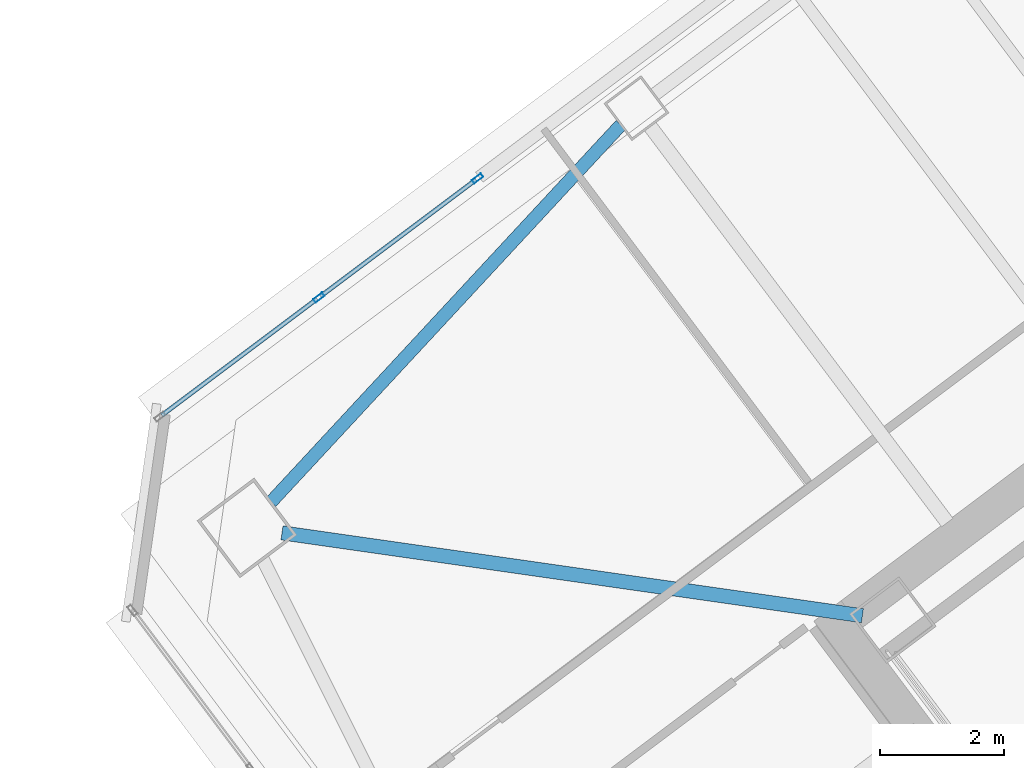
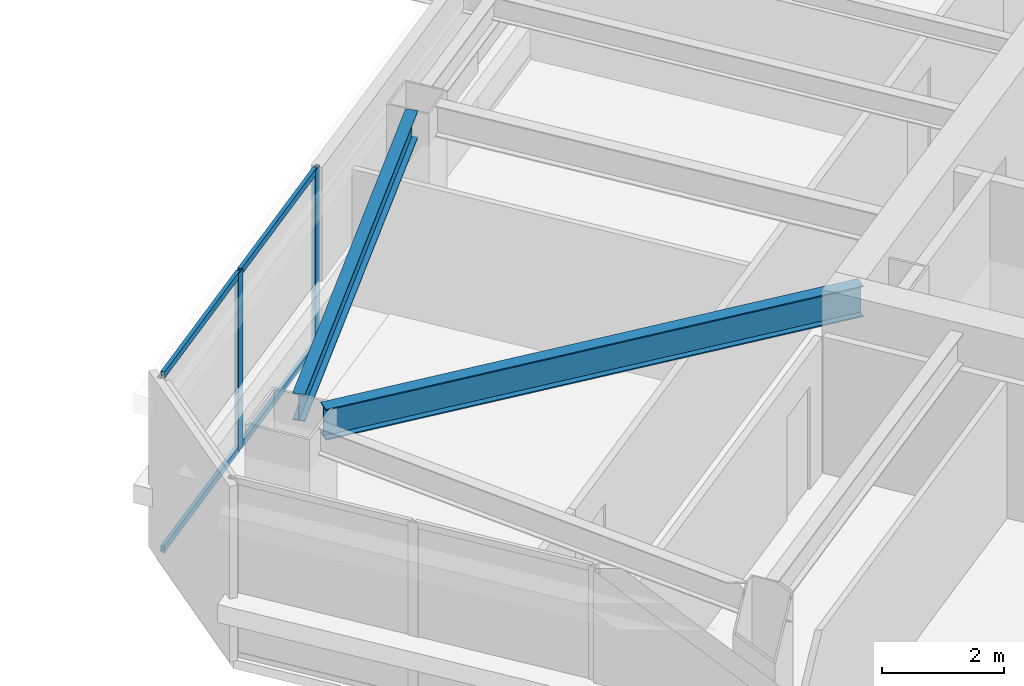
# One storey, part 22 of 43: 6 members, 2 beams, 1 element without a shape of its own.
"""IFC4 building model written with IfcOpenShell, lengths in metres."""

from ifc_helpers import new_model, si_unit, direction, frame, origin, origin_2d, place, context, subcontext, project, spatial, hollow_rectangle, i_section, extrude, material, material_profile, profile_set, type_object, element, aggregate, save


model = new_model("IFC4")

# Units and contexts
model_context = context("Model", 3, precision=1e-05, world=origin(), true_north=direction((0.0, 1.0)))
body_context = subcontext(model_context, "Body", "Model", "MODEL_VIEW")
ifc_project = project(units=[si_unit("LENGTHUNIT", "METRE"), si_unit("AREAUNIT", "SQUARE_METRE"), si_unit("VOLUMEUNIT", "CUBIC_METRE"), si_unit("PLANEANGLEUNIT", "RADIAN"), si_unit("MASSUNIT", "GRAM", prefix="KILO")], contexts=[model_context])

# Site, building, storey
site_placement = place(None, origin())
site = spatial("IfcSite", under=ifc_project, at=site_placement, CompositionType="ELEMENT")
building_placement = place(site_placement, origin())
building = spatial("IfcBuilding", under=site, at=building_placement, Name="Tashvorn Skyway Center", CompositionType="ELEMENT")
storey_placement = place(building_placement, frame((0.0, 0.0, 185.39990234375)))
storey = spatial("IfcBuildingStorey", under=building, at=storey_placement, Name="L50", CompositionType="ELEMENT", Elevation=185.39990234375)

# Beams
ifc_material_1 = material(Name="Steel ASTM A992 Grade 50", Category="steel")
ifc_material_profile_1 = material_profile(ifc_material_1, i_section(OverallWidth=0.22998046875, OverallDepth=0.616943359375, WebThickness=0.01318359375, FlangeThickness=0.022216796875, at=origin_2d()), Name="W24X94")
ifc_profile_set_1 = profile_set([ifc_material_profile_1], Name="Steel ASTM A992 Grade 50")
beam_type_1 = type_object("IfcBeamType", Name="BM-BEAM-W24X94", PredefinedType="BEAM", material=ifc_profile_set_1)
beam_1_placement = place(storey_placement, frame((94.26416015625, 34.8193359375, 3.0615234375), z_axis=(0.989950009213, -0.141417747326, 0.0), x_axis=(0.141417747326, 0.989950009213, 0.0)))
element("IfcBeam", 1, at=beam_1_placement, inside=storey, type_object=beam_type_1, Name="Tower 2 L50 Primary Floor Girder MC-NW", PredefinedType="BEAM", context=body_context, shape_type="SweptSolid", body=[
    extrude(i_section(OverallWidth=0.22998046875, OverallDepth=0.616943359375, WebThickness=0.01318359375, FlangeThickness=0.022216796875, at=origin_2d()), origin(), (0.0, 0.0, 1.0), 9.470947265625),
])
ifc_material_profile_2 = material_profile(ifc_material_1, i_section(OverallWidth=0.2109375, OverallDepth=0.5390625, WebThickness=0.01171875, FlangeThickness=0.018798828125, at=origin_2d()), Name="W21X73")
ifc_profile_set_2 = profile_set([ifc_material_profile_2], Name="Steel ASTM A992 Grade 50")
beam_type_2 = type_object("IfcBeamType", Name="BM-SPANDREL-W21X73", PredefinedType="SPANDREL", material=ifc_profile_set_2)
beam_2_placement = place(storey_placement, frame((99.73828125, 41.40869140625, 3.1005859375), z_axis=(-0.680119661736, -0.733101115618, 0.0), x_axis=(0.733101115618, -0.680119661736, 0.0)))
element("IfcBeam", 2, at=beam_2_placement, inside=storey, type_object=beam_type_2, Name="Tower 2 L50 Spandrel Beam 09", PredefinedType="SPANDREL", context=body_context, shape_type="SweptSolid", body=[
    extrude(i_section(OverallWidth=0.2109375, OverallDepth=0.5390625, WebThickness=0.01171875, FlangeThickness=0.018798828125, at=origin_2d()), origin(), (0.0, 0.0, 1.0), 8.308349609375),
])

# Curtain wall, members
ifc_material_2 = material(Name="Thermally broken bronze-anodized aluminium 6063-T6", Category="aluminium")
curtain_wall_type = type_object("IfcCurtainWallType", Name="CW-CW-Z4", PredefinedType="NOTDEFINED", material=ifc_material_2)
curtain_wall_placement = place(storey_placement, origin())
curtain_wall = element("IfcCurtainWall", 3, at=curtain_wall_placement, inside=storey, type_object=curtain_wall_type, Name="Tower 2 L50 North Unitised Curtain Wall Glazing Group 1", PredefinedType="NOTDEFINED")
ifc_material_profile_3 = material_profile(ifc_material_2, hollow_rectangle(XDim=0.070068359375, YDim=0.179931640625, WallThickness=0.00390625, at=origin_2d()), Name="ALU-MULL-70x180")
ifc_profile_set_3 = profile_set([ifc_material_profile_3], Name="Thermally broken bronze-anodized aluminium 6063-T6")
member_type_1 = type_object("IfcMemberType", Name="CWM-CW-Z4", PredefinedType="MULLION", material=ifc_profile_set_3)
member_1_placement = place(storey_placement, frame((94.860107421875, 38.6201171875, 0.0), z_axis=(0.0, 0.0, 1.0), x_axis=(-0.600000000002, 0.799999999998, 0.0)))
member_1 = element("IfcMember", 4, at=member_1_placement, type_object=member_type_1, Name="CW-Z4 mullion 2", PredefinedType="MULLION", context=body_context, shape_type="SweptSolid", body=[
    extrude(hollow_rectangle(XDim=0.070068359375, YDim=0.179931640625, WallThickness=0.00390625, at=origin_2d()), origin(), (0.0, 0.0, 1.0), 3.550048828125),
])
member_2_placement = place(storey_placement, frame((97.424072265625, 40.54296875, 0.0), z_axis=(0.0, 0.0, 1.0), x_axis=(-0.600000000002, 0.799999999998, 0.0)))
member_2 = element("IfcMember", 5, at=member_2_placement, type_object=member_type_1, Name="CW-Z4 mullion 3", PredefinedType="MULLION", context=body_context, shape_type="SweptSolid", body=[
    extrude(hollow_rectangle(XDim=0.070068359375, YDim=0.179931640625, WallThickness=0.00390625, at=origin_2d()), origin(), (0.0, 0.0, 1.0), 3.550048828125),
])
ifc_material_profile_4 = material_profile(ifc_material_2, hollow_rectangle(XDim=0.070068359375, YDim=0.1298828125, WallThickness=0.00390625, at=origin_2d()), Name="ALU-TRAN-70x130")
ifc_profile_set_4 = profile_set([ifc_material_profile_4], Name="Thermally broken bronze-anodized aluminium 6063-T6")
member_type_2 = type_object("IfcMemberType", Name="CWT-CW-Z4", PredefinedType="USERDEFINED", material=ifc_profile_set_4)
member_3_placement = place(storey_placement, frame((92.323974609375, 36.718017578125, 0.03515625), z_axis=(0.799990655127, 0.600012459628, 0.0), x_axis=(-0.600012459628, 0.799990655127, 0.0)))
member_3 = element("IfcMember", 6, at=member_3_placement, type_object=member_type_2, Name="CW-Z4 transom 1.1", ObjectType="TRANSOM", PredefinedType="USERDEFINED", context=body_context, shape_type="SweptSolid", body=[
    extrude(hollow_rectangle(XDim=0.070068359375, YDim=0.1298828125, WallThickness=0.00390625, at=origin_2d()), origin(), (0.0, 0.0, 1.0), 3.135009765625),
])
member_4_placement = place(storey_placement, frame((92.323974609375, 36.718017578125, 3.51513671875), z_axis=(0.799990655127, 0.600012459628, 0.0), x_axis=(-0.600012459628, 0.799990655127, 0.0)))
member_4 = element("IfcMember", 7, at=member_4_placement, type_object=member_type_2, Name="CW-Z4 transom 1.2", ObjectType="TRANSOM", PredefinedType="USERDEFINED", context=body_context, shape_type="SweptSolid", body=[
    extrude(hollow_rectangle(XDim=0.070068359375, YDim=0.1298828125, WallThickness=0.00390625, at=origin_2d()), origin(), (0.0, 0.0, 1.0), 3.135009765625),
])
member_5_placement = place(storey_placement, frame((94.887939453125, 38.64111328125, 0.03515625), z_axis=(0.800028034763, 0.599962618496, 0.0), x_axis=(-0.599962618496, 0.800028034763, 0.0)))
member_5 = element("IfcMember", 8, at=member_5_placement, type_object=member_type_2, Name="CW-Z4 transom 2.1", ObjectType="TRANSOM", PredefinedType="USERDEFINED", context=body_context, shape_type="SweptSolid", body=[
    extrude(hollow_rectangle(XDim=0.070068359375, YDim=0.1298828125, WallThickness=0.00390625, at=origin_2d()), origin(), (0.0, 0.0, 1.0), 3.135009765625),
])
member_6_placement = place(storey_placement, frame((94.887939453125, 38.64111328125, 3.51513671875), z_axis=(0.800028034763, 0.599962618496, 0.0), x_axis=(-0.599962618496, 0.800028034763, 0.0)))
member_6 = element("IfcMember", 9, at=member_6_placement, type_object=member_type_2, Name="CW-Z4 transom 2.2", ObjectType="TRANSOM", PredefinedType="USERDEFINED", context=body_context, shape_type="SweptSolid", body=[
    extrude(hollow_rectangle(XDim=0.070068359375, YDim=0.1298828125, WallThickness=0.00390625, at=origin_2d()), origin(), (0.0, 0.0, 1.0), 3.135009765625),
])
aggregate(curtain_wall, [member_1, member_2, member_3, member_4, member_5, member_6])

save(model, "model.ifc")
